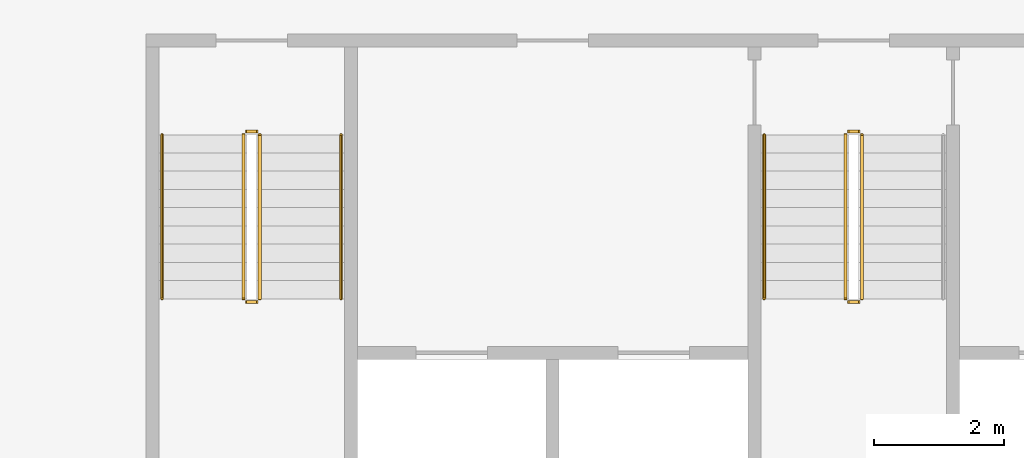
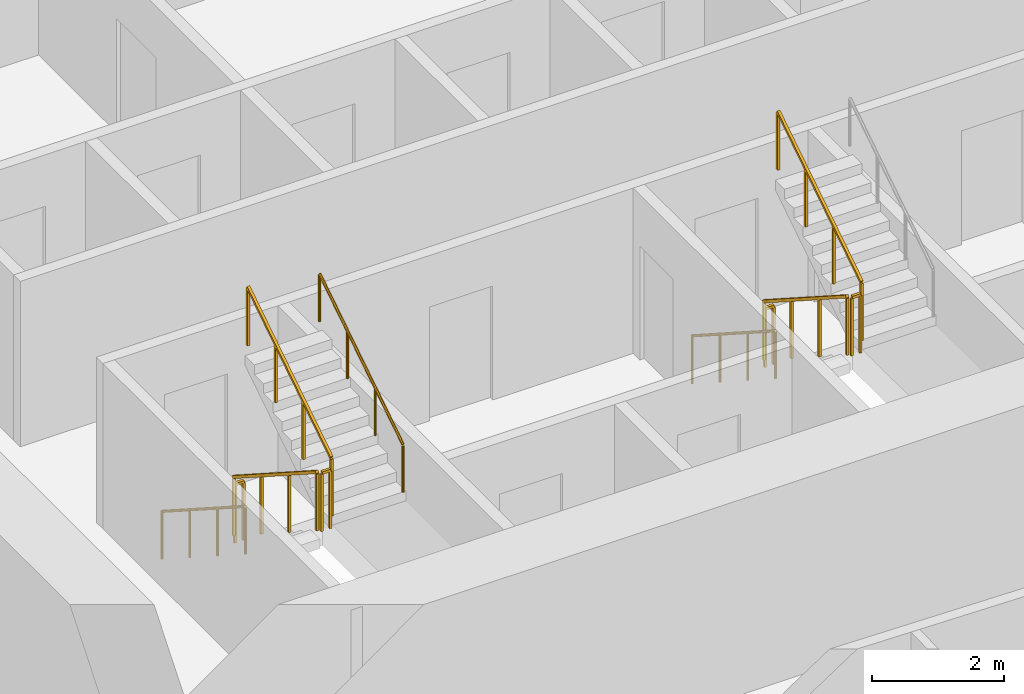
# One storey, part 16 of 19: 11 railings.
"""IFC4 building model written with IfcOpenShell, lengths in metres."""

from ifc_helpers import new_model, si_unit, direction, frame, origin, origin_2d, place, context, subcontext, project, spatial, rectangle, circle, extrude, material, type_object, element, save


model = new_model("IFC4")

# Units and contexts
model_context = context("Model", 3, precision=1e-05, world=origin(), true_north=direction((0.0, 1.0)))
body_context = subcontext(model_context, "Body", "Model", "MODEL_VIEW")
ifc_project = project(units=[si_unit("LENGTHUNIT", "METRE"), si_unit("AREAUNIT", "SQUARE_METRE"), si_unit("VOLUMEUNIT", "CUBIC_METRE"), si_unit("PLANEANGLEUNIT", "RADIAN"), si_unit("MASSUNIT", "GRAM", prefix="KILO")], contexts=[model_context])

# Site, building, storey
site_placement = place(None, origin())
site = spatial("IfcSite", under=ifc_project, at=site_placement, CompositionType="ELEMENT")
building_placement = place(site_placement, origin())
building = spatial("IfcBuilding", under=site, at=building_placement, Name="Mangrove Gate Tower", CompositionType="ELEMENT")
storey_placement = place(building_placement, frame((0.0, 0.0, 63.89990234375)))
storey = spatial("IfcBuildingStorey", under=building, at=storey_placement, Name="L15", CompositionType="ELEMENT", Elevation=63.89990234375)

# Railings
ifc_material_1 = material(Name="Stainless steel 316", Category="steel")
railing_type_1 = type_object("IfcRailingType", Name="Core stair guard 1100", PredefinedType="GUARDRAIL", material=ifc_material_1)
railing_1_placement = place(storey_placement, frame((-9.39990234375, -4.64990234375, 0.18017578125)))
element("IfcRailing", 1, at=railing_1_placement, inside=storey, type_object=railing_type_1, Name="L15 ST1 stair guard 1", PredefinedType="GUARDRAIL", context=body_context, shape_type="SweptSolid", body=[
    extrude(rectangle(XDim=0.048095703125, YDim=0.048095703125, at=origin_2d()), frame((0.0, 0.0, 1.076171875), z_axis=(0.0, -0.841199657755, 0.540724639528), x_axis=(1.0, 0.0, 0.0)), (0.0, 0.0, 1.0), 2.995849609375),
    extrude(rectangle(XDim=0.0419921875, YDim=0.0419921875, at=origin_2d()), origin(), (0.0, 0.0, 1.0), 1.052001953125),
    extrude(rectangle(XDim=0.0419921875, YDim=0.0419921875, at=origin_2d()), frame((0.0, -0.840087890625, 0.5400390625)), (0.0, 0.0, 1.0), 1.052001953125),
    extrude(rectangle(XDim=0.0419921875, YDim=0.0419921875, at=origin_2d()), frame((0.0, -1.679931640625, 1.079833984375)), (0.0, 0.0, 1.0), 1.052001953125),
    extrude(rectangle(XDim=0.0419921875, YDim=0.0419921875, at=origin_2d()), frame((0.0, -2.52001953125, 1.619873046875)), (0.0, 0.0, 1.0), 1.052001953125),
])
railing_2_placement = place(storey_placement, frame((-9.35009765625, -7.219970703125, 1.800048828125)))
element("IfcRailing", 2, at=railing_2_placement, inside=storey, type_object=railing_type_1, Name="L15 ST1 stair guard 2", PredefinedType="GUARDRAIL", context=body_context, shape_type="SweptSolid", body=[
    extrude(rectangle(XDim=0.048095703125, YDim=0.048095703125, at=origin_2d()), frame((0.0, 0.0, 1.076171875), z_axis=(1.0, 0.0, 0.0), x_axis=(0.0, 1.0, 0.0)), (0.0, 0.0, 1.0), 0.150146484375),
    extrude(rectangle(XDim=0.0419921875, YDim=0.0419921875, at=origin_2d()), origin(), (0.0, 0.0, 1.0), 1.052001953125),
    extrude(rectangle(XDim=0.0419921875, YDim=0.0419921875, at=origin_2d()), frame((0.150146484375, 0.0, 0.0)), (0.0, 0.0, 1.0), 1.052001953125),
])
railing_3_placement = place(storey_placement, frame((-9.14990234375, -7.169921875, 1.97998046875)))
element("IfcRailing", 3, at=railing_3_placement, inside=storey, type_object=railing_type_1, Name="L15 ST1 stair guard 3", PredefinedType="GUARDRAIL", context=body_context, shape_type="SweptSolid", body=[
    extrude(rectangle(XDim=0.048095703125, YDim=0.048095703125, at=origin_2d()), frame((0.0, 0.0, 1.076171875), z_axis=(0.0, 0.841162588446, 0.540782303519), x_axis=(-1.0, 0.0, 0.0)), (0.0, 0.0, 1.0), 2.995849609375),
    extrude(rectangle(XDim=0.0419921875, YDim=0.0419921875, at=origin_2d()), origin(), (0.0, 0.0, 1.0), 1.052001953125),
    extrude(rectangle(XDim=0.0419921875, YDim=0.0419921875, at=origin_2d()), frame((0.0, 0.840087890625, 0.5400390625)), (0.0, 0.0, 1.0), 1.052001953125),
    extrude(rectangle(XDim=0.0419921875, YDim=0.0419921875, at=origin_2d()), frame((0.0, 1.679931640625, 1.080078125)), (0.0, 0.0, 1.0), 1.052001953125),
    extrude(rectangle(XDim=0.0419921875, YDim=0.0419921875, at=origin_2d()), frame((0.0, 2.52001953125, 1.6201171875)), (0.0, 0.0, 1.0), 1.052001953125),
])
railing_4_placement = place(storey_placement, frame((-9.35009765625, -4.60009765625, 0.0)))
element("IfcRailing", 4, at=railing_4_placement, inside=storey, type_object=railing_type_1, Name="L15 ST1 stair guard 4", PredefinedType="GUARDRAIL", context=body_context, shape_type="SweptSolid", body=[
    extrude(rectangle(XDim=0.048095703125, YDim=0.048095703125, at=origin_2d()), frame((0.0, 0.0, 1.076171875), z_axis=(1.0, 0.0, 0.0), x_axis=(0.0, 1.0, 0.0)), (0.0, 0.0, 1.0), 0.150146484375),
    extrude(rectangle(XDim=0.0419921875, YDim=0.0419921875, at=origin_2d()), origin(), (0.0, 0.0, 1.0), 1.052001953125),
    extrude(rectangle(XDim=0.0419921875, YDim=0.0419921875, at=origin_2d()), frame((0.150146484375, 0.0, 0.0)), (0.0, 0.0, 1.0), 1.052001953125),
])
railing_5_placement = place(storey_placement, frame((-0.14990234375, -4.64990234375, 0.18017578125)))
element("IfcRailing", 5, at=railing_5_placement, inside=storey, type_object=railing_type_1, Name="L15 ST2 stair guard 1", PredefinedType="GUARDRAIL", context=body_context, shape_type="SweptSolid", body=[
    extrude(rectangle(XDim=0.048095703125, YDim=0.048095703125, at=origin_2d()), frame((0.0, 0.0, 1.076171875), z_axis=(0.0, -0.841199657755, 0.540724639528), x_axis=(1.0, 0.0, 0.0)), (0.0, 0.0, 1.0), 2.995849609375),
    extrude(rectangle(XDim=0.0419921875, YDim=0.0419921875, at=origin_2d()), origin(), (0.0, 0.0, 1.0), 1.052001953125),
    extrude(rectangle(XDim=0.0419921875, YDim=0.0419921875, at=origin_2d()), frame((0.0, -0.840087890625, 0.5400390625)), (0.0, 0.0, 1.0), 1.052001953125),
    extrude(rectangle(XDim=0.0419921875, YDim=0.0419921875, at=origin_2d()), frame((0.0, -1.679931640625, 1.079833984375)), (0.0, 0.0, 1.0), 1.052001953125),
    extrude(rectangle(XDim=0.0419921875, YDim=0.0419921875, at=origin_2d()), frame((0.0, -2.52001953125, 1.619873046875)), (0.0, 0.0, 1.0), 1.052001953125),
])
railing_6_placement = place(storey_placement, frame((-0.10009765625, -7.219970703125, 1.800048828125)))
element("IfcRailing", 6, at=railing_6_placement, inside=storey, type_object=railing_type_1, Name="L15 ST2 stair guard 2", PredefinedType="GUARDRAIL", context=body_context, shape_type="SweptSolid", body=[
    extrude(rectangle(XDim=0.048095703125, YDim=0.048095703125, at=origin_2d()), frame((0.0, 0.0, 1.076171875), z_axis=(1.0, 0.0, 0.0), x_axis=(0.0, 1.0, 0.0)), (0.0, 0.0, 1.0), 0.150146484375),
    extrude(rectangle(XDim=0.0419921875, YDim=0.0419921875, at=origin_2d()), origin(), (0.0, 0.0, 1.0), 1.052001953125),
    extrude(rectangle(XDim=0.0419921875, YDim=0.0419921875, at=origin_2d()), frame((0.150146484375, 0.0, 0.0)), (0.0, 0.0, 1.0), 1.052001953125),
])
railing_7_placement = place(storey_placement, frame((0.10009765625, -7.169921875, 1.97998046875)))
element("IfcRailing", 7, at=railing_7_placement, inside=storey, type_object=railing_type_1, Name="L15 ST2 stair guard 3", PredefinedType="GUARDRAIL", context=body_context, shape_type="SweptSolid", body=[
    extrude(rectangle(XDim=0.048095703125, YDim=0.048095703125, at=origin_2d()), frame((0.0, 0.0, 1.076171875), z_axis=(0.0, 0.841162588446, 0.540782303519), x_axis=(-1.0, 0.0, 0.0)), (0.0, 0.0, 1.0), 2.995849609375),
    extrude(rectangle(XDim=0.0419921875, YDim=0.0419921875, at=origin_2d()), origin(), (0.0, 0.0, 1.0), 1.052001953125),
    extrude(rectangle(XDim=0.0419921875, YDim=0.0419921875, at=origin_2d()), frame((0.0, 0.840087890625, 0.5400390625)), (0.0, 0.0, 1.0), 1.052001953125),
    extrude(rectangle(XDim=0.0419921875, YDim=0.0419921875, at=origin_2d()), frame((0.0, 1.679931640625, 1.080078125)), (0.0, 0.0, 1.0), 1.052001953125),
    extrude(rectangle(XDim=0.0419921875, YDim=0.0419921875, at=origin_2d()), frame((0.0, 2.52001953125, 1.6201171875)), (0.0, 0.0, 1.0), 1.052001953125),
])
railing_8_placement = place(storey_placement, frame((-0.10009765625, -4.60009765625, 0.0)))
element("IfcRailing", 8, at=railing_8_placement, inside=storey, type_object=railing_type_1, Name="L15 ST2 stair guard 4", PredefinedType="GUARDRAIL", context=body_context, shape_type="SweptSolid", body=[
    extrude(rectangle(XDim=0.048095703125, YDim=0.048095703125, at=origin_2d()), frame((0.0, 0.0, 1.076171875), z_axis=(1.0, 0.0, 0.0), x_axis=(0.0, 1.0, 0.0)), (0.0, 0.0, 1.0), 0.150146484375),
    extrude(rectangle(XDim=0.0419921875, YDim=0.0419921875, at=origin_2d()), origin(), (0.0, 0.0, 1.0), 1.052001953125),
    extrude(rectangle(XDim=0.0419921875, YDim=0.0419921875, at=origin_2d()), frame((0.150146484375, 0.0, 0.0)), (0.0, 0.0, 1.0), 1.052001953125),
])
ifc_material_2 = material(Name="Stainless steel 316", Category="steel")
railing_type_2 = type_object("IfcRailingType", Name="Core stair handrail 900", PredefinedType="HANDRAIL", material=ifc_material_2)
railing_9_placement = place(storey_placement, frame((-10.64990234375, -4.64990234375, 0.18017578125)))
element("IfcRailing", 9, at=railing_9_placement, inside=storey, type_object=railing_type_2, Name="L15 ST1 stair handrail 1", PredefinedType="HANDRAIL", context=body_context, shape_type="SweptSolid", body=[
    extrude(circle(Radius=0.02392578125, at=origin_2d()), frame((0.0, 0.0, 0.8759765625), z_axis=(0.0, -0.841199657755, 0.540724639528), x_axis=(1.0, 0.0, 0.0)), (0.0, 0.0, 1.0), 2.995849609375),
    extrude(circle(Radius=0.02099609375, at=origin_2d()), origin(), (0.0, 0.0, 1.0), 0.851806640625),
    extrude(circle(Radius=0.02099609375, at=origin_2d()), frame((0.0, -0.840087890625, 0.5400390625)), (0.0, 0.0, 1.0), 0.851806640625),
    extrude(circle(Radius=0.02099609375, at=origin_2d()), frame((0.0, -1.679931640625, 1.079833984375)), (0.0, 0.0, 1.0), 0.851806640625),
    extrude(circle(Radius=0.02099609375, at=origin_2d()), frame((0.0, -2.52001953125, 1.619873046875)), (0.0, 0.0, 1.0), 0.851806640625),
])
railing_10_placement = place(storey_placement, frame((-7.89990234375, -7.169921875, 1.97998046875)))
element("IfcRailing", 10, at=railing_10_placement, inside=storey, type_object=railing_type_2, Name="L15 ST1 stair handrail 2", PredefinedType="HANDRAIL", context=body_context, shape_type="SweptSolid", body=[
    extrude(circle(Radius=0.02392578125, at=origin_2d()), frame((0.0, 0.0, 0.8759765625), z_axis=(0.0, 0.841162588446, 0.540782303519), x_axis=(-1.0, 0.0, 0.0)), (0.0, 0.0, 1.0), 2.995849609375),
    extrude(circle(Radius=0.02099609375, at=origin_2d()), origin(), (0.0, 0.0, 1.0), 0.851806640625),
    extrude(circle(Radius=0.02099609375, at=origin_2d()), frame((0.0, 0.840087890625, 0.5400390625)), (0.0, 0.0, 1.0), 0.851806640625),
    extrude(circle(Radius=0.02099609375, at=origin_2d()), frame((0.0, 1.679931640625, 1.080078125)), (0.0, 0.0, 1.0), 0.851806640625),
    extrude(circle(Radius=0.02099609375, at=origin_2d()), frame((0.0, 2.52001953125, 1.6201171875)), (0.0, 0.0, 1.0), 0.851806640625),
])
railing_11_placement = place(storey_placement, frame((-1.39990234375, -4.64990234375, 0.18017578125)))
element("IfcRailing", 11, at=railing_11_placement, inside=storey, type_object=railing_type_2, Name="L15 ST2 stair handrail 1", PredefinedType="HANDRAIL", context=body_context, shape_type="SweptSolid", body=[
    extrude(circle(Radius=0.02392578125, at=origin_2d()), frame((0.0, 0.0, 0.8759765625), z_axis=(0.0, -0.841199657755, 0.540724639528), x_axis=(1.0, 0.0, 0.0)), (0.0, 0.0, 1.0), 2.995849609375),
    extrude(circle(Radius=0.02099609375, at=origin_2d()), origin(), (0.0, 0.0, 1.0), 0.851806640625),
    extrude(circle(Radius=0.02099609375, at=origin_2d()), frame((0.0, -0.840087890625, 0.5400390625)), (0.0, 0.0, 1.0), 0.851806640625),
    extrude(circle(Radius=0.02099609375, at=origin_2d()), frame((0.0, -1.679931640625, 1.079833984375)), (0.0, 0.0, 1.0), 0.851806640625),
    extrude(circle(Radius=0.02099609375, at=origin_2d()), frame((0.0, -2.52001953125, 1.619873046875)), (0.0, 0.0, 1.0), 0.851806640625),
])

save(model, "model.ifc")
